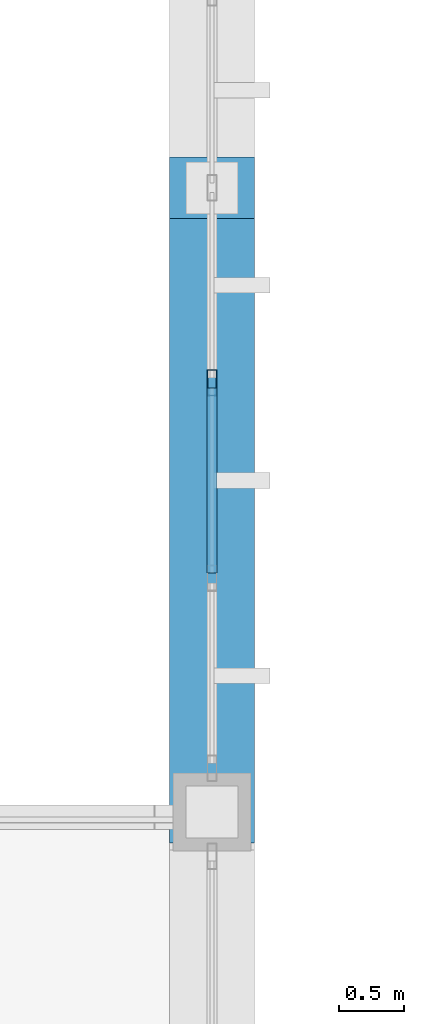
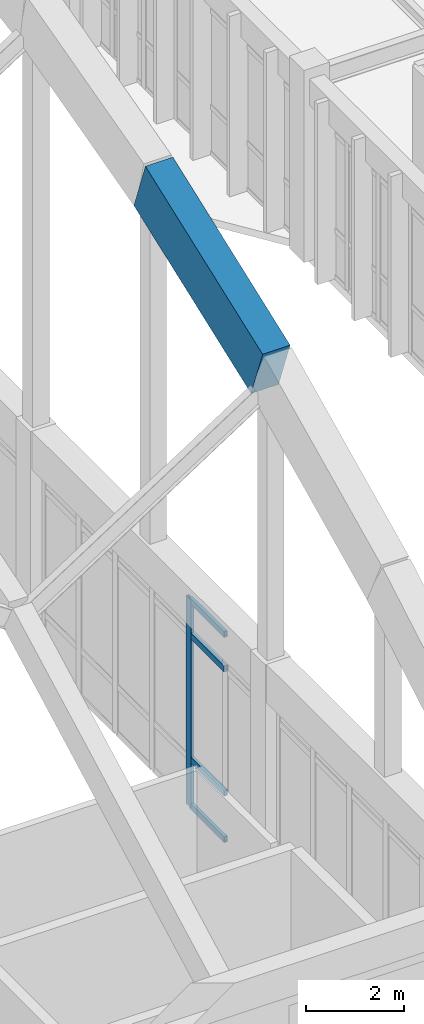
# One storey, part 129 of 236: 6 members, 1 element without a shape of its own.
"""IFC4 building model written with IfcOpenShell, lengths in metres."""

from ifc_helpers import new_model, si_unit, direction, frame, origin, origin_2d, place, context, subcontext, project, spatial, rectangle, hollow_rectangle, extrude, material, layer, layer_set, material_profile, profile_set, type_object, element, aggregate, save


model = new_model("IFC4")

# Units and contexts
model_context = context("Model", 3, precision=1e-05, world=origin(), true_north=direction((0.0, 1.0)))
body_context = subcontext(model_context, "Body", "Model", "MODEL_VIEW")
ifc_project = project(units=[si_unit("LENGTHUNIT", "METRE"), si_unit("AREAUNIT", "SQUARE_METRE"), si_unit("VOLUMEUNIT", "CUBIC_METRE"), si_unit("PLANEANGLEUNIT", "RADIAN"), si_unit("MASSUNIT", "GRAM", prefix="KILO")], contexts=[model_context])

# Site, building, storey
site_placement = place(None, origin())
site = spatial("IfcSite", under=ifc_project, at=site_placement, CompositionType="ELEMENT")
building_placement = place(site_placement, origin())
building = spatial("IfcBuilding", under=site, at=building_placement, Name="Pandanus Reach Market Hall", CompositionType="ELEMENT")
storey_placement = place(building_placement, frame((0.0, 0.0, 5.39990234375)))
storey = spatial("IfcBuildingStorey", under=building, at=storey_placement, Name="L01", CompositionType="ELEMENT", Elevation=5.39990234375)

# Member
ifc_material_1 = material(Name="Concrete N50 (50 MPa)", Category="concrete")
ifc_material_profile_1 = material_profile(ifc_material_1, rectangle(XDim=0.64990234375, YDim=1.35009765625, at=origin_2d()), Name="RC650x1350", Category="LoadBearing")
ifc_profile_set_1 = profile_set([ifc_material_profile_1], Name="Concrete N50 (50 MPa)")
member_type_1 = type_object("IfcMemberType", Name="AR-RC650-E", PredefinedType="CHORD", material=ifc_profile_set_1)
member_1_placement = place(storey_placement, frame((132.0, 38.39990234375, 12.89111328125), z_axis=(0.0, 0.937030438748, 0.349247701294), x_axis=(-1.0, 0.0, 0.0)))
element("IfcMember", 1, at=member_1_placement, inside=storey, type_object=member_type_1, Name="Parabolic arch top chord A8.3", PredefinedType="CHORD", context=body_context, shape_type="SweptSolid", body=[
    extrude(rectangle(XDim=0.64990234375, YDim=1.35009765625, at=origin_2d()), origin(), (0.0, 0.0, 1.0), 5.12255859375),
])

# Curtain wall, members
ifc_material_2 = material(Name="Bronze anodised aluminium and low-E glass", Category="aluminium")
ifc_layer = layer(ifc_material_2, 0.199951171875, Name="CW-05")
ifc_layer_set = layer_set([ifc_layer], Name="Bronze anodised aluminium and low-E glass")
curtain_wall_type = type_object("IfcCurtainWallType", Name="CW-05", PredefinedType="NOTDEFINED", material=ifc_layer_set)
curtain_wall_placement = place(storey_placement, origin())
curtain_wall = element("IfcCurtainWall", 2, at=curtain_wall_placement, inside=storey, type_object=curtain_wall_type, Name="Glazed curtain wall CW-05 CW-0023", PredefinedType="NOTDEFINED")
ifc_material_3 = material(Name="Bronze anodised aluminium", Category="aluminium")
ifc_material_profile_2 = material_profile(ifc_material_3, hollow_rectangle(XDim=0.074951171875, YDim=0.199951171875, WallThickness=0.00439453125, at=origin_2d()), Name="ALU75x200", Category="LoadBearing")
ifc_profile_set_2 = profile_set([ifc_material_profile_2], Name="Bronze anodised aluminium")
member_type_2 = type_object("IfcMemberType", Name="CW-M2", PredefinedType="MULLION", material=ifc_profile_set_2)
member_2_placement = place(storey_placement, frame((132.0, 41.699951171875, 0.0), z_axis=(0.0, 0.0, 1.0), x_axis=(-1.0, 0.0, 0.0)))
member_2 = element("IfcMember", 3, at=member_2_placement, type_object=member_type_2, Name="CW-05 mullion 3", PredefinedType="MULLION", context=body_context, shape_type="SweptSolid", body=[
    extrude(hollow_rectangle(XDim=0.074951171875, YDim=0.199951171875, WallThickness=0.00439453125, at=origin_2d()), origin(), (0.0, 0.0, 1.0), 5.2001953125),
])
ifc_material_profile_3 = material_profile(ifc_material_3, hollow_rectangle(XDim=0.074951171875, YDim=0.14990234375, WallThickness=0.00439453125, at=origin_2d()), Name="ALU75x150", Category="LoadBearing")
ifc_profile_set_3 = profile_set([ifc_material_profile_3], Name="Bronze anodised aluminium")
member_type_3 = type_object("IfcMemberType", Name="CW-T2", PredefinedType="USERDEFINED", material=ifc_profile_set_3)
member_3_placement = place(storey_placement, frame((132.0, 40.237548828125, 0.03759765625), z_axis=(0.0, 1.0, 0.0), x_axis=(-1.0, 0.0, 0.0)))
member_3 = element("IfcMember", 4, at=member_3_placement, type_object=member_type_3, Name="CW-05 transom 2.1", ObjectType="TRANSOM", PredefinedType="USERDEFINED", context=body_context, shape_type="SweptSolid", body=[
    extrude(hollow_rectangle(XDim=0.074951171875, YDim=0.14990234375, WallThickness=0.00439453125, at=origin_2d()), origin(), (0.0, 0.0, 1.0), 1.425048828125),
])
member_4_placement = place(storey_placement, frame((132.0, 40.237548828125, 1.2001953125), z_axis=(0.0, 1.0, 0.0), x_axis=(-1.0, 0.0, 0.0)))
member_4 = element("IfcMember", 5, at=member_4_placement, type_object=member_type_3, Name="CW-05 transom 2.2", ObjectType="TRANSOM", PredefinedType="USERDEFINED", context=body_context, shape_type="SweptSolid", body=[
    extrude(hollow_rectangle(XDim=0.074951171875, YDim=0.14990234375, WallThickness=0.00439453125, at=origin_2d()), origin(), (0.0, 0.0, 1.0), 1.425048828125),
])
member_5_placement = place(storey_placement, frame((132.0, 40.237548828125, 4.300048828125), z_axis=(0.0, 1.0, 0.0), x_axis=(-1.0, 0.0, 0.0)))
member_5 = element("IfcMember", 6, at=member_5_placement, type_object=member_type_3, Name="CW-05 transom 2.3", ObjectType="TRANSOM", PredefinedType="USERDEFINED", context=body_context, shape_type="SweptSolid", body=[
    extrude(hollow_rectangle(XDim=0.074951171875, YDim=0.14990234375, WallThickness=0.00439453125, at=origin_2d()), origin(), (0.0, 0.0, 1.0), 1.425048828125),
])
member_6_placement = place(storey_placement, frame((132.0, 40.237548828125, 5.16259765625), z_axis=(0.0, 1.0, 0.0), x_axis=(-1.0, 0.0, 0.0)))
member_6 = element("IfcMember", 7, at=member_6_placement, type_object=member_type_3, Name="CW-05 transom 2.4", ObjectType="TRANSOM", PredefinedType="USERDEFINED", context=body_context, shape_type="SweptSolid", body=[
    extrude(hollow_rectangle(XDim=0.074951171875, YDim=0.14990234375, WallThickness=0.00439453125, at=origin_2d()), origin(), (0.0, 0.0, 1.0), 1.425048828125),
])
aggregate(curtain_wall, [member_2, member_3, member_4, member_5, member_6])

save(model, "model.ifc")
